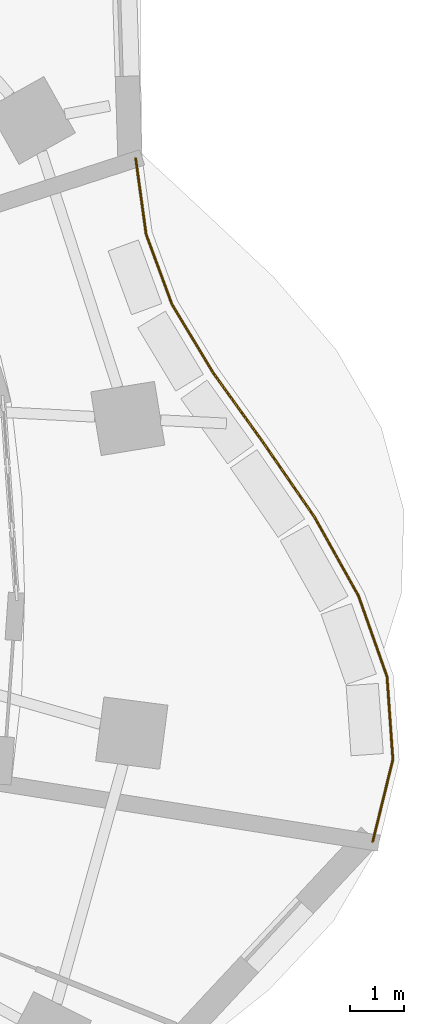
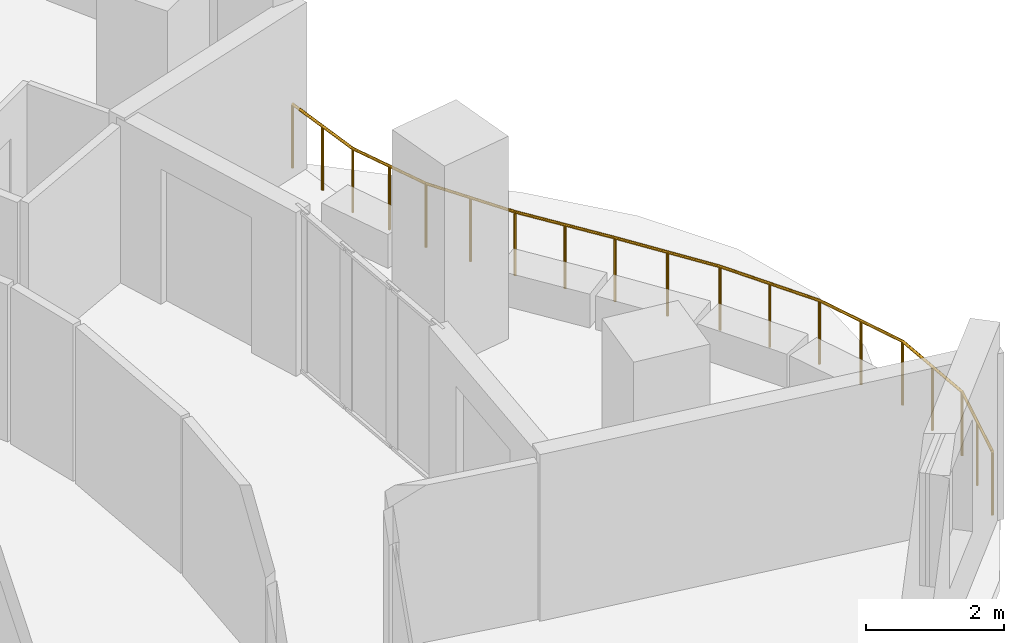
# One storey, part 13 of 13: 1 railing.
"""IFC4 building model written with IfcOpenShell, lengths in metres."""

from ifc_helpers import new_model, si_unit, direction, frame, origin, origin_2d, place, context, subcontext, project, spatial, circle, extrude, material, type_object, element, save


model = new_model("IFC4")

# Units and contexts
model_context = context("Model", 3, precision=1e-05, world=origin(), true_north=direction((0.0, 1.0)))
body_context = subcontext(model_context, "Body", "Model", "MODEL_VIEW")
ifc_project = project(units=[si_unit("LENGTHUNIT", "METRE"), si_unit("AREAUNIT", "SQUARE_METRE"), si_unit("VOLUMEUNIT", "CUBIC_METRE"), si_unit("PLANEANGLEUNIT", "RADIAN"), si_unit("MASSUNIT", "GRAM", prefix="KILO")], contexts=[model_context])

# Site, building, storey
site_placement = place(None, origin())
site = spatial("IfcSite", under=ifc_project, at=site_placement, CompositionType="ELEMENT")
building_placement = place(site_placement, origin())
building = spatial("IfcBuilding", under=site, at=building_placement, Name="Rubra Terraces Tower", CompositionType="ELEMENT")
storey_placement = place(building_placement, frame((0.0, 0.0, 85.199951171875)))
storey = spatial("IfcBuildingStorey", under=building, at=storey_placement, Name="L19", CompositionType="ELEMENT", Elevation=85.199951171875)

# Railing
ifc_material = material(Name="Steel, powder-coated dark grey", Category="steel")
railing_type = type_object("IfcRailingType", Name="Terrace guard 1150", PredefinedType="GUARDRAIL", material=ifc_material)
railing_placement = place(storey_placement, frame((29.221435546875, -4.618408203125, 0.0)))
element("IfcRailing", 1, at=railing_placement, inside=storey, type_object=railing_type, Name="Terrace guard L19", PredefinedType="GUARDRAIL", context=body_context, shape_type="SweptSolid", body=[
    extrude(circle(Radius=0.02392578125, at=origin_2d()), frame((0.0, 0.0, 1.1259765625), z_axis=(0.238113786829, 0.971237264793, 0.0), x_axis=(-0.971237264793, 0.238113786829, 0.0)), (0.0, 0.0, 1.0), 1.57275390625),
    extrude(circle(Radius=0.02392578125, at=origin_2d()), frame((0.37451171875, 1.527587890625, 1.1259765625), z_axis=(-0.070359353436, 0.997521709731, 0.0), x_axis=(-0.997521709731, -0.070359353436, 0.0)), (0.0, 0.0, 1.0), 1.544189453125),
    extrude(circle(Radius=0.02392578125, at=origin_2d()), frame((0.265869140625, 3.06787109375, 1.1259765625), z_axis=(-0.332972542443, 0.942936522773, 0.0), x_axis=(-0.942936522773, -0.332972542443, 0.0)), (0.0, 0.0, 1.0), 1.591796875),
    extrude(circle(Radius=0.02392578125, at=origin_2d()), frame((-0.26416015625, 4.56884765625, 1.1259765625), z_axis=(-0.487407412602, 0.873174675618, 0.0), x_axis=(-0.873174675618, -0.487407412602, 0.0)), (0.0, 0.0, 1.0), 1.678955078125),
    extrude(circle(Radius=0.02392578125, at=origin_2d()), frame((-1.08251953125, 6.034912109375, 1.1259765625), z_axis=(-0.566994199417, 0.823721784238, 0.0), x_axis=(-0.823721784238, -0.566994199417, 0.0)), (0.0, 0.0, 1.0), 1.69189453125),
    extrude(circle(Radius=0.02392578125, at=origin_2d()), frame((-2.041748046875, 7.428466796875, 1.1259765625), z_axis=(-0.583180829959, 0.812342365982, 0.0), x_axis=(-0.812342365982, -0.583180829959, 0.0)), (0.0, 0.0, 1.0), 1.591552734375),
    extrude(circle(Radius=0.02392578125, at=origin_2d()), frame((-2.969970703125, 8.721435546875, 1.1259765625), z_axis=(-0.514834683493, 0.857289477757, 0.0), x_axis=(-0.857289477757, -0.514834683493, 0.0)), (0.0, 0.0, 1.0), 1.48291015625),
    extrude(circle(Radius=0.02392578125, at=origin_2d()), frame((-3.7333984375, 9.99267578125, 1.1259765625), z_axis=(-0.34597515016, 0.938243675956, 0.0), x_axis=(-0.938243675956, -0.34597515016, 0.0)), (0.0, 0.0, 1.0), 1.3837890625),
    extrude(circle(Radius=0.02392578125, at=origin_2d()), frame((-4.212158203125, 11.291015625, 1.1259765625), z_axis=(-0.136144807865, 0.990688947799, 0.0), x_axis=(-0.990688947799, -0.136144807865, 0.0)), (0.0, 0.0, 1.0), 1.425537109375),
    extrude(circle(Radius=0.02099609375, at=origin_2d()), origin(), (0.0, 0.0, 1.0), 1.101806640625),
    extrude(circle(Radius=0.02099609375, at=origin_2d()), frame((0.187255859375, 0.763671875, 0.0)), (0.0, 0.0, 1.0), 1.101806640625),
    extrude(circle(Radius=0.02099609375, at=origin_2d()), frame((0.37451171875, 1.527587890625, 0.0)), (0.0, 0.0, 1.0), 1.101806640625),
    extrude(circle(Radius=0.02099609375, at=origin_2d()), frame((0.3203125, 2.2978515625, 0.0)), (0.0, 0.0, 1.0), 1.101806640625),
    extrude(circle(Radius=0.02099609375, at=origin_2d()), frame((0.265869140625, 3.06787109375, 0.0)), (0.0, 0.0, 1.0), 1.101806640625),
    extrude(circle(Radius=0.02099609375, at=origin_2d()), frame((0.0009765625, 3.818359375, 0.0)), (0.0, 0.0, 1.0), 1.101806640625),
    extrude(circle(Radius=0.02099609375, at=origin_2d()), frame((-0.26416015625, 4.56884765625, 0.0)), (0.0, 0.0, 1.0), 1.101806640625),
    extrude(circle(Radius=0.02099609375, at=origin_2d()), frame((-0.67333984375, 5.3017578125, 0.0)), (0.0, 0.0, 1.0), 1.101806640625),
    extrude(circle(Radius=0.02099609375, at=origin_2d()), frame((-1.08251953125, 6.034912109375, 0.0)), (0.0, 0.0, 1.0), 1.101806640625),
    extrude(circle(Radius=0.02099609375, at=origin_2d()), frame((-1.56201171875, 6.731689453125, 0.0)), (0.0, 0.0, 1.0), 1.101806640625),
    extrude(circle(Radius=0.02099609375, at=origin_2d()), frame((-2.041748046875, 7.428466796875, 0.0)), (0.0, 0.0, 1.0), 1.101806640625),
    extrude(circle(Radius=0.02099609375, at=origin_2d()), frame((-2.505859375, 8.074951171875, 0.0)), (0.0, 0.0, 1.0), 1.101806640625),
    extrude(circle(Radius=0.02099609375, at=origin_2d()), frame((-2.969970703125, 8.721435546875, 0.0)), (0.0, 0.0, 1.0), 1.101806640625),
    extrude(circle(Radius=0.02099609375, at=origin_2d()), frame((-3.3515625, 9.35693359375, 0.0)), (0.0, 0.0, 1.0), 1.101806640625),
    extrude(circle(Radius=0.02099609375, at=origin_2d()), frame((-3.7333984375, 9.99267578125, 0.0)), (0.0, 0.0, 1.0), 1.101806640625),
    extrude(circle(Radius=0.02099609375, at=origin_2d()), frame((-3.97265625, 10.641845703125, 0.0)), (0.0, 0.0, 1.0), 1.101806640625),
    extrude(circle(Radius=0.02099609375, at=origin_2d()), frame((-4.212158203125, 11.291015625, 0.0)), (0.0, 0.0, 1.0), 1.101806640625),
    extrude(circle(Radius=0.02099609375, at=origin_2d()), frame((-4.30908203125, 11.9970703125, 0.0)), (0.0, 0.0, 1.0), 1.101806640625),
    extrude(circle(Radius=0.02099609375, at=origin_2d()), frame((-4.40625, 12.703369140625, 0.0)), (0.0, 0.0, 1.0), 1.101806640625),
])

save(model, "model.ifc")
